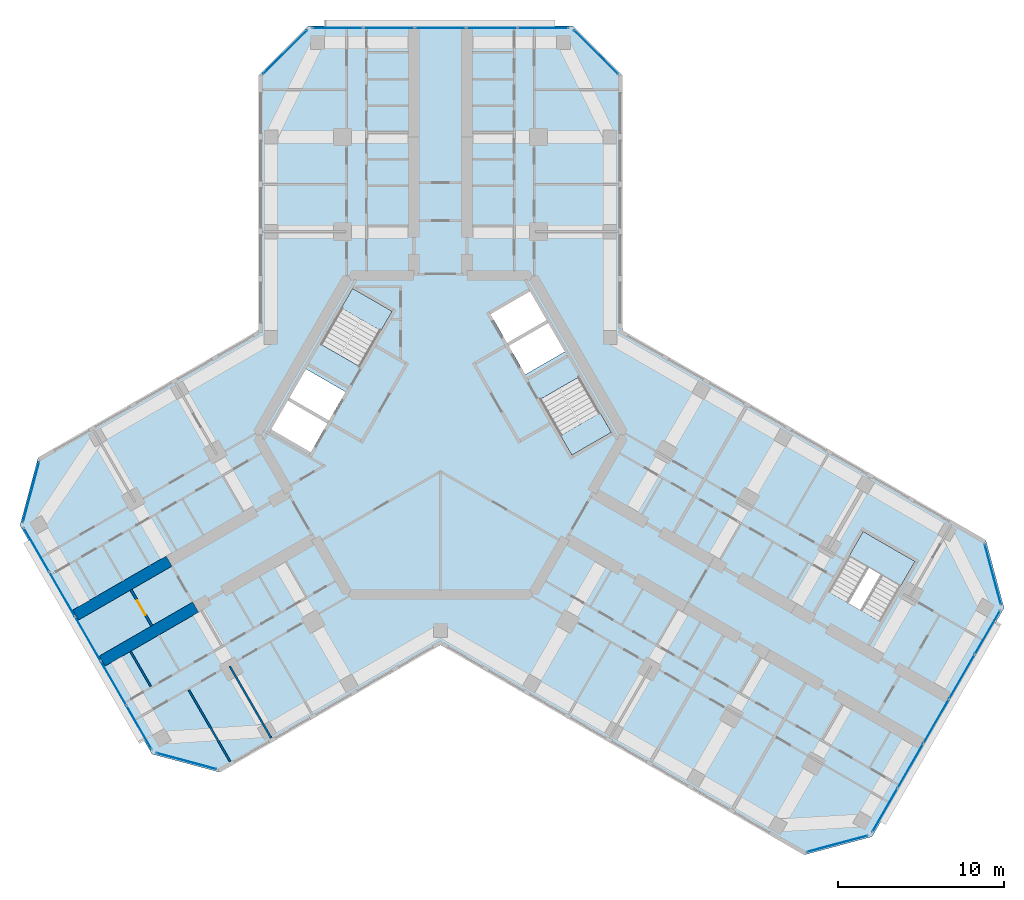
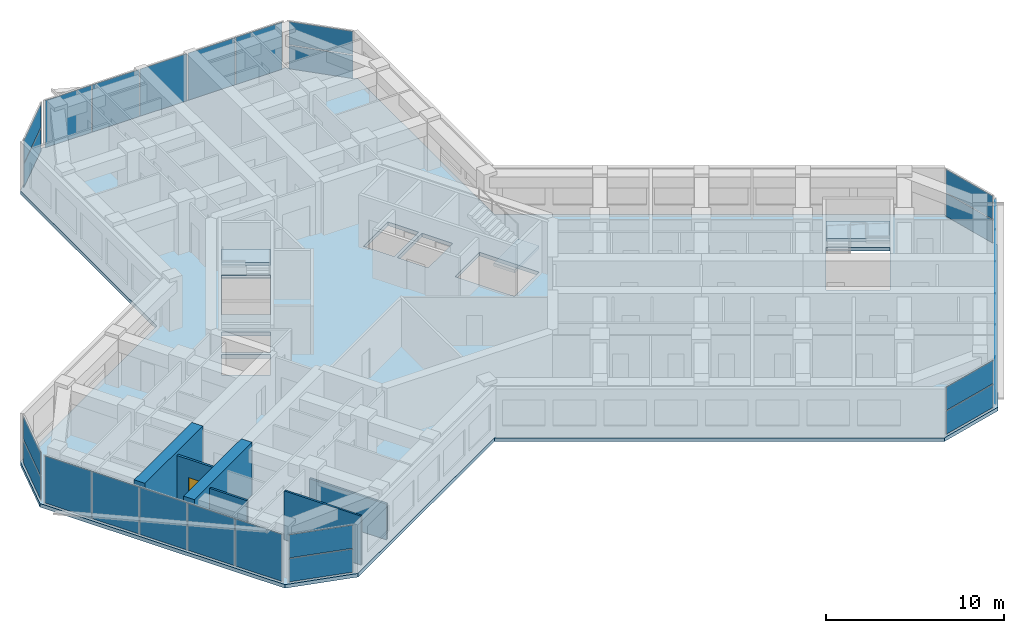
# One storey, part 7 of 16: 27 plates, 6 walls, 4 slabs, 1 door, 1 opening, 12 elements without a shape of their own.
"""IFC4 building model written with IfcOpenShell, lengths in metres."""

from ifc_helpers import new_model, si_unit, direction, frame, frame_2d, origin, origin_2d, place, context, subcontext, project, spatial, polyline, rectangle, outline, extrude, material, layer, layer_set, type_object, element, fill, aggregate, save


model = new_model("IFC4")

# Units and contexts
model_context = context("Model", 3, precision=1e-05, world=origin(), true_north=direction((0.0, 1.0)))
body_context = subcontext(model_context, "Body", "Model", "MODEL_VIEW")
ifc_project = project(units=[si_unit("LENGTHUNIT", "METRE"), si_unit("AREAUNIT", "SQUARE_METRE"), si_unit("VOLUMEUNIT", "CUBIC_METRE"), si_unit("PLANEANGLEUNIT", "RADIAN"), si_unit("MASSUNIT", "GRAM", prefix="KILO")], contexts=[model_context])

# Site, building, storey
site_placement = place(None, origin())
site = spatial("IfcSite", under=ifc_project, at=site_placement, CompositionType="ELEMENT")
building_placement = place(site_placement, origin())
building = spatial("IfcBuilding", under=site, at=building_placement, Name="Kosmar Iwan School Tower", CompositionType="ELEMENT")
storey_placement = place(building_placement, frame((0.0, 0.0, 238.800048828125)))
storey = spatial("IfcBuildingStorey", under=building, at=storey_placement, Name="L60", CompositionType="ELEMENT", Elevation=238.800048828125)

# Curtain wall, plates
ifc_material_1 = material(Name="Dark glass in black aluminium frame", Category="aluminium")
curtain_wall_type_1 = type_object("IfcCurtainWallType", Name="Chamfer curtain wall dark glass", PredefinedType="USERDEFINED", material=ifc_material_1)
curtain_wall_1_placement = place(storey_placement, origin())
curtain_wall_1 = element("IfcCurtainWall", 1, at=curtain_wall_1_placement, inside=storey, type_object=curtain_wall_type_1, Name="Curtain wall L60-F00", ObjectType="FACETED CURTAIN WALL", PredefinedType="USERDEFINED")
ifc_material_2 = material(Name="Dark glass", Category="glass")
ifc_layer_1 = layer(ifc_material_2, 0.028076171875)
ifc_layer_set_1 = layer_set([ifc_layer_1], Name="Dark glass panel 28")
plate_type = type_object("IfcPlateType", Name="Dark glass panel 28", PredefinedType="CURTAIN_PANEL", material=ifc_layer_set_1)
plate_1_placement = place(storey_placement, frame((23.908203125, -24.61328125, 0.06005859375), z_axis=(0.0, 0.0, 1.0), x_axis=(0.965925875495, 0.258818861462, 0.0)))
plate_1 = element("IfcPlate", 2, at=plate_1_placement, type_object=plate_type, Name="CW2 panel 1.1", PredefinedType="CURTAIN_PANEL", context=body_context, shape_type="SweptSolid", body=[
    extrude(rectangle(XDim=3.718994140625, YDim=0.028076171875, at=origin_2d()), origin(), (0.0, 0.0, 1.0), 1.5849609375),
])
plate_2_placement = place(storey_placement, frame((23.908203125, -24.61328125, 1.705078125), z_axis=(0.0, 0.0, 1.0), x_axis=(0.965925875495, 0.258818861462, 0.0)))
plate_2 = element("IfcPlate", 3, at=plate_2_placement, type_object=plate_type, Name="CW2 panel 1.2", PredefinedType="CURTAIN_PANEL", context=body_context, shape_type="SweptSolid", body=[
    extrude(rectangle(XDim=3.718994140625, YDim=0.028076171875, at=origin_2d()), origin(), (0.0, 0.0, 1.0), 1.5849609375),
])
aggregate(curtain_wall_1, [plate_1, plate_2])

ifc_material_3 = material(Name="Dark glass in black aluminium frame", Category="aluminium")
curtain_wall_type_2 = type_object("IfcCurtainWallType", Name="Tower curtain wall dark glass", PredefinedType="USERDEFINED", material=ifc_material_3)
curtain_wall_2_placement = place(storey_placement, origin())
curtain_wall_2 = element("IfcCurtainWall", 4, at=curtain_wall_2_placement, inside=storey, type_object=curtain_wall_type_2, Name="Curtain wall L60-F01", ObjectType="UNITISED CURTAIN WALL", PredefinedType="USERDEFINED")
plate_3_placement = place(storey_placement, frame((26.764404296875, -22.592529296875, 0.06005859375), z_axis=(0.0, 0.0, 1.0), x_axis=(0.499999997325, 0.866025405329, 0.0)))
plate_3 = element("IfcPlate", 5, at=plate_3_placement, type_object=plate_type, Name="CW1 panel 1.1", PredefinedType="CURTAIN_PANEL", context=body_context, shape_type="SweptSolid", body=[
    extrude(rectangle(XDim=3.00927734375, YDim=0.028076171875, at=origin_2d()), origin(), (0.0, 0.0, 1.0), 3.22998046875),
])
plate_4_placement = place(storey_placement, frame((28.306640625, -19.921630859375, 0.06005859375), z_axis=(0.0, 0.0, 1.0), x_axis=(0.499999997325, 0.866025405329, 0.0)))
plate_4 = element("IfcPlate", 6, at=plate_4_placement, type_object=plate_type, Name="CW1 panel 2.1", PredefinedType="CURTAIN_PANEL", context=body_context, shape_type="SweptSolid", body=[
    extrude(rectangle(XDim=3.039306640625, YDim=0.028076171875, at=origin_2d()), origin(), (0.0, 0.0, 1.0), 3.22998046875),
])
plate_5_placement = place(storey_placement, frame((29.856201171875, -17.237548828125, 0.06005859375), z_axis=(0.0, 0.0, 1.0), x_axis=(0.499999997325, 0.866025405329, 0.0)))
plate_5 = element("IfcPlate", 7, at=plate_5_placement, type_object=plate_type, Name="CW1 panel 3.1", PredefinedType="CURTAIN_PANEL", context=body_context, shape_type="SweptSolid", body=[
    extrude(rectangle(XDim=3.039306640625, YDim=0.028076171875, at=origin_2d()), origin(), (0.0, 0.0, 1.0), 3.22998046875),
])
plate_6_placement = place(storey_placement, frame((31.40576171875, -14.553466796875, 0.06005859375), z_axis=(0.0, 0.0, 1.0), x_axis=(0.499999997325, 0.866025405329, 0.0)))
plate_6 = element("IfcPlate", 8, at=plate_6_placement, type_object=plate_type, Name="CW1 panel 4.1", PredefinedType="CURTAIN_PANEL", context=body_context, shape_type="SweptSolid", body=[
    extrude(rectangle(XDim=3.039306640625, YDim=0.028076171875, at=origin_2d()), origin(), (0.0, 0.0, 1.0), 3.22998046875),
])
plate_7_placement = place(storey_placement, frame((32.947998046875, -11.88232421875, 0.06005859375), z_axis=(0.0, 0.0, 1.0), x_axis=(0.499999997325, 0.866025405329, 0.0)))
plate_7 = element("IfcPlate", 9, at=plate_7_placement, type_object=plate_type, Name="CW1 panel 5.1", PredefinedType="CURTAIN_PANEL", context=body_context, shape_type="SweptSolid", body=[
    extrude(rectangle(XDim=3.00927734375, YDim=0.028076171875, at=origin_2d()), origin(), (0.0, 0.0, 1.0), 3.22998046875),
])
aggregate(curtain_wall_2, [plate_3, plate_4, plate_5, plate_6, plate_7])

curtain_wall_3_placement = place(storey_placement, origin())
curtain_wall_3 = element("IfcCurtainWall", 10, at=curtain_wall_3_placement, inside=storey, type_object=curtain_wall_type_1, Name="Curtain wall L60-F02", ObjectType="FACETED CURTAIN WALL", PredefinedType="USERDEFINED")
plate_8_placement = place(storey_placement, frame((33.269775390625, -8.3984375, 0.06005859375), z_axis=(0.0, 0.0, 1.0), x_axis=(-0.258818861462, 0.965925875495, 0.0)))
plate_8 = element("IfcPlate", 11, at=plate_8_placement, type_object=plate_type, Name="CW2 panel 1.1", PredefinedType="CURTAIN_PANEL", context=body_context, shape_type="SweptSolid", body=[
    extrude(rectangle(XDim=3.718994140625, YDim=0.028076171875, at=origin_2d()), origin(), (0.0, 0.0, 1.0), 1.5849609375),
])
plate_9_placement = place(storey_placement, frame((33.269775390625, -8.3984375, 1.705078125), z_axis=(0.0, 0.0, 1.0), x_axis=(-0.258818861462, 0.965925875495, 0.0)))
plate_9 = element("IfcPlate", 12, at=plate_9_placement, type_object=plate_type, Name="CW2 panel 1.2", PredefinedType="CURTAIN_PANEL", context=body_context, shape_type="SweptSolid", body=[
    extrude(rectangle(XDim=3.718994140625, YDim=0.028076171875, at=origin_2d()), origin(), (0.0, 0.0, 1.0), 1.5849609375),
])
aggregate(curtain_wall_3, [plate_8, plate_9])

curtain_wall_4_placement = place(storey_placement, origin())
curtain_wall_4 = element("IfcCurtainWall", 13, at=curtain_wall_4_placement, inside=storey, type_object=curtain_wall_type_1, Name="Curtain wall L60-F05", ObjectType="FACETED CURTAIN WALL", PredefinedType="USERDEFINED")
plate_10_placement = place(storey_placement, frame((9.361572265625, 23.0615234375, 0.06005859375), z_axis=(0.0, 0.0, 1.0), x_axis=(-0.707106781187, 0.707106781187, 0.0)))
plate_10 = element("IfcPlate", 14, at=plate_10_placement, type_object=plate_type, Name="CW2 panel 1.1", PredefinedType="CURTAIN_PANEL", context=body_context, shape_type="SweptSolid", body=[
    extrude(rectangle(XDim=3.718994140625, YDim=0.028076171875, at=origin_2d()), origin(), (0.0, 0.0, 1.0), 1.5849609375),
])
plate_11_placement = place(storey_placement, frame((9.361572265625, 23.0615234375, 1.705078125), z_axis=(0.0, 0.0, 1.0), x_axis=(-0.707106781187, 0.707106781187, 0.0)))
plate_11 = element("IfcPlate", 15, at=plate_11_placement, type_object=plate_type, Name="CW2 panel 1.2", PredefinedType="CURTAIN_PANEL", context=body_context, shape_type="SweptSolid", body=[
    extrude(rectangle(XDim=3.718994140625, YDim=0.028076171875, at=origin_2d()), origin(), (0.0, 0.0, 1.0), 1.5849609375),
])
aggregate(curtain_wall_4, [plate_10, plate_11])

curtain_wall_5_placement = place(storey_placement, origin())
curtain_wall_5 = element("IfcCurtainWall", 16, at=curtain_wall_5_placement, inside=storey, type_object=curtain_wall_type_2, Name="Curtain wall L60-F06", ObjectType="UNITISED CURTAIN WALL", PredefinedType="USERDEFINED")
plate_12_placement = place(storey_placement, frame((6.18359375, 24.52490234375, 0.06005859375), z_axis=(0.0, 0.0, 1.0), x_axis=(-1.0, 0.0, 0.0)))
plate_12 = element("IfcPlate", 17, at=plate_12_placement, type_object=plate_type, Name="CW1 panel 1.1", PredefinedType="CURTAIN_PANEL", context=body_context, shape_type="SweptSolid", body=[
    extrude(rectangle(XDim=3.00927734375, YDim=0.028076171875, at=origin_2d()), origin(), (0.0, 0.0, 1.0), 3.22998046875),
])
plate_13_placement = place(storey_placement, frame((3.099365234375, 24.52490234375, 0.06005859375), z_axis=(0.0, 0.0, 1.0), x_axis=(-1.0, 0.0, 0.0)))
plate_13 = element("IfcPlate", 18, at=plate_13_placement, type_object=plate_type, Name="CW1 panel 2.1", PredefinedType="CURTAIN_PANEL", context=body_context, shape_type="SweptSolid", body=[
    extrude(rectangle(XDim=3.039306640625, YDim=0.028076171875, at=origin_2d()), origin(), (0.0, 0.0, 1.0), 3.22998046875),
])
plate_14_placement = place(storey_placement, frame((0.0, 24.52490234375, 0.06005859375), z_axis=(0.0, 0.0, 1.0), x_axis=(-1.0, 0.0, 0.0)))
plate_14 = element("IfcPlate", 19, at=plate_14_placement, type_object=plate_type, Name="CW1 panel 3.1", PredefinedType="CURTAIN_PANEL", context=body_context, shape_type="SweptSolid", body=[
    extrude(rectangle(XDim=3.039306640625, YDim=0.028076171875, at=origin_2d()), origin(), (0.0, 0.0, 1.0), 3.22998046875),
])
plate_15_placement = place(storey_placement, frame((-3.099365234375, 24.52490234375, 0.06005859375), z_axis=(0.0, 0.0, 1.0), x_axis=(-1.0, 0.0, 0.0)))
plate_15 = element("IfcPlate", 20, at=plate_15_placement, type_object=plate_type, Name="CW1 panel 4.1", PredefinedType="CURTAIN_PANEL", context=body_context, shape_type="SweptSolid", body=[
    extrude(rectangle(XDim=3.039306640625, YDim=0.028076171875, at=origin_2d()), origin(), (0.0, 0.0, 1.0), 3.22998046875),
])
plate_16_placement = place(storey_placement, frame((-6.18359375, 24.52490234375, 0.06005859375), z_axis=(0.0, 0.0, 1.0), x_axis=(-1.0, 0.0, 0.0)))
plate_16 = element("IfcPlate", 21, at=plate_16_placement, type_object=plate_type, Name="CW1 panel 5.1", PredefinedType="CURTAIN_PANEL", context=body_context, shape_type="SweptSolid", body=[
    extrude(rectangle(XDim=3.00927734375, YDim=0.028076171875, at=origin_2d()), origin(), (0.0, 0.0, 1.0), 3.22998046875),
])
aggregate(curtain_wall_5, [plate_12, plate_13, plate_14, plate_15, plate_16])

curtain_wall_6_placement = place(storey_placement, origin())
curtain_wall_6 = element("IfcCurtainWall", 22, at=curtain_wall_6_placement, inside=storey, type_object=curtain_wall_type_1, Name="Curtain wall L60-F07", ObjectType="FACETED CURTAIN WALL", PredefinedType="USERDEFINED")
plate_17_placement = place(storey_placement, frame((-9.361572265625, 23.0615234375, 0.06005859375), z_axis=(0.0, 0.0, 1.0), x_axis=(-0.707106781187, -0.707106781187, 0.0)))
plate_17 = element("IfcPlate", 23, at=plate_17_placement, type_object=plate_type, Name="CW2 panel 1.1", PredefinedType="CURTAIN_PANEL", context=body_context, shape_type="SweptSolid", body=[
    extrude(rectangle(XDim=3.718994140625, YDim=0.028076171875, at=origin_2d()), origin(), (0.0, 0.0, 1.0), 1.5849609375),
])
plate_18_placement = place(storey_placement, frame((-9.361572265625, 23.0615234375, 1.705078125), z_axis=(0.0, 0.0, 1.0), x_axis=(-0.707106781187, -0.707106781187, 0.0)))
plate_18 = element("IfcPlate", 24, at=plate_18_placement, type_object=plate_type, Name="CW2 panel 1.2", PredefinedType="CURTAIN_PANEL", context=body_context, shape_type="SweptSolid", body=[
    extrude(rectangle(XDim=3.718994140625, YDim=0.028076171875, at=origin_2d()), origin(), (0.0, 0.0, 1.0), 1.5849609375),
])
aggregate(curtain_wall_6, [plate_17, plate_18])

curtain_wall_7_placement = place(storey_placement, origin())
curtain_wall_7 = element("IfcCurtainWall", 25, at=curtain_wall_7_placement, inside=storey, type_object=curtain_wall_type_1, Name="Curtain wall L60-F10", ObjectType="FACETED CURTAIN WALL", PredefinedType="USERDEFINED")
plate_19_placement = place(storey_placement, frame((-24.65283203125, -3.42333984375, 0.06005859375), z_axis=(0.0, 0.0, 1.0), x_axis=(-0.258818861462, -0.965925875495, 0.0)))
plate_19 = element("IfcPlate", 26, at=plate_19_placement, type_object=plate_type, Name="CW2 panel 1.1", PredefinedType="CURTAIN_PANEL", context=body_context, shape_type="SweptSolid", body=[
    extrude(rectangle(XDim=3.718994140625, YDim=0.028076171875, at=origin_2d()), origin(), (0.0, 0.0, 1.0), 1.5849609375),
])
plate_20_placement = place(storey_placement, frame((-24.65283203125, -3.42333984375, 1.705078125), z_axis=(0.0, 0.0, 1.0), x_axis=(-0.258818861462, -0.965925875495, 0.0)))
plate_20 = element("IfcPlate", 27, at=plate_20_placement, type_object=plate_type, Name="CW2 panel 1.2", PredefinedType="CURTAIN_PANEL", context=body_context, shape_type="SweptSolid", body=[
    extrude(rectangle(XDim=3.718994140625, YDim=0.028076171875, at=origin_2d()), origin(), (0.0, 0.0, 1.0), 1.5849609375),
])
aggregate(curtain_wall_7, [plate_19, plate_20])

curtain_wall_8_placement = place(storey_placement, origin())
curtain_wall_8 = element("IfcCurtainWall", 28, at=curtain_wall_8_placement, inside=storey, type_object=curtain_wall_type_2, Name="Curtain wall L60-F11", ObjectType="UNITISED CURTAIN WALL", PredefinedType="USERDEFINED")
plate_21_placement = place(storey_placement, frame((-24.3310546875, -6.907470703125, 0.06005859375), z_axis=(0.0, 0.0, 1.0), x_axis=(0.499999997325, -0.866025405329, 0.0)))
plate_21 = element("IfcPlate", 29, at=plate_21_placement, type_object=plate_type, Name="CW1 panel 1.1", PredefinedType="CURTAIN_PANEL", context=body_context, shape_type="SweptSolid", body=[
    extrude(rectangle(XDim=3.00927734375, YDim=0.028076171875, at=origin_2d()), origin(), (0.0, 0.0, 1.0), 3.22998046875),
])
plate_22_placement = place(storey_placement, frame((-22.788818359375, -9.578369140625, 0.06005859375), z_axis=(0.0, 0.0, 1.0), x_axis=(0.499999997325, -0.866025405329, 0.0)))
plate_22 = element("IfcPlate", 30, at=plate_22_placement, type_object=plate_type, Name="CW1 panel 2.1", PredefinedType="CURTAIN_PANEL", context=body_context, shape_type="SweptSolid", body=[
    extrude(rectangle(XDim=3.039306640625, YDim=0.028076171875, at=origin_2d()), origin(), (0.0, 0.0, 1.0), 3.22998046875),
])
plate_23_placement = place(storey_placement, frame((-21.2392578125, -12.262451171875, 0.06005859375), z_axis=(0.0, 0.0, 1.0), x_axis=(0.499999997325, -0.866025405329, 0.0)))
plate_23 = element("IfcPlate", 31, at=plate_23_placement, type_object=plate_type, Name="CW1 panel 3.1", PredefinedType="CURTAIN_PANEL", context=body_context, shape_type="SweptSolid", body=[
    extrude(rectangle(XDim=3.039306640625, YDim=0.028076171875, at=origin_2d()), origin(), (0.0, 0.0, 1.0), 3.22998046875),
])
plate_24_placement = place(storey_placement, frame((-19.689697265625, -14.946533203125, 0.06005859375), z_axis=(0.0, 0.0, 1.0), x_axis=(0.499999997325, -0.866025405329, 0.0)))
plate_24 = element("IfcPlate", 32, at=plate_24_placement, type_object=plate_type, Name="CW1 panel 4.1", PredefinedType="CURTAIN_PANEL", context=body_context, shape_type="SweptSolid", body=[
    extrude(rectangle(XDim=3.039306640625, YDim=0.028076171875, at=origin_2d()), origin(), (0.0, 0.0, 1.0), 3.22998046875),
])
plate_25_placement = place(storey_placement, frame((-18.1474609375, -17.61767578125, 0.06005859375), z_axis=(0.0, 0.0, 1.0), x_axis=(0.499999997325, -0.866025405329, 0.0)))
plate_25 = element("IfcPlate", 33, at=plate_25_placement, type_object=plate_type, Name="CW1 panel 5.1", PredefinedType="CURTAIN_PANEL", context=body_context, shape_type="SweptSolid", body=[
    extrude(rectangle(XDim=3.00927734375, YDim=0.028076171875, at=origin_2d()), origin(), (0.0, 0.0, 1.0), 3.22998046875),
])
aggregate(curtain_wall_8, [plate_21, plate_22, plate_23, plate_24, plate_25])

curtain_wall_9_placement = place(storey_placement, origin())
curtain_wall_9 = element("IfcCurtainWall", 34, at=curtain_wall_9_placement, inside=storey, type_object=curtain_wall_type_1, Name="Curtain wall L60-F12", ObjectType="FACETED CURTAIN WALL", PredefinedType="USERDEFINED")
plate_26_placement = place(storey_placement, frame((-15.291015625, -19.63818359375, 0.06005859375), z_axis=(0.0, 0.0, 1.0), x_axis=(0.965925875495, -0.258818861462, 0.0)))
plate_26 = element("IfcPlate", 35, at=plate_26_placement, type_object=plate_type, Name="CW2 panel 1.1", PredefinedType="CURTAIN_PANEL", context=body_context, shape_type="SweptSolid", body=[
    extrude(rectangle(XDim=3.718994140625, YDim=0.028076171875, at=origin_2d()), origin(), (0.0, 0.0, 1.0), 1.5849609375),
])
plate_27_placement = place(storey_placement, frame((-15.291015625, -19.63818359375, 1.705078125), z_axis=(0.0, 0.0, 1.0), x_axis=(0.965925875495, -0.258818861462, 0.0)))
plate_27 = element("IfcPlate", 36, at=plate_27_placement, type_object=plate_type, Name="CW2 panel 1.2", PredefinedType="CURTAIN_PANEL", context=body_context, shape_type="SweptSolid", body=[
    extrude(rectangle(XDim=3.718994140625, YDim=0.028076171875, at=origin_2d()), origin(), (0.0, 0.0, 1.0), 1.5849609375),
])
aggregate(curtain_wall_9, [plate_26, plate_27])

# Stair, slab
ifc_material_4 = material(Name="Concrete C35/45", Category="concrete")
stair_type_1 = type_object("IfcStairType", Name="Escape stair 3600", PredefinedType="HALF_TURN_STAIR", material=ifc_material_4)
stair_1_placement = place(storey_placement, origin())
stair_1 = element("IfcStair", 37, at=stair_1_placement, inside=storey, type_object=stair_type_1, Name="Stair WS3 L60", PredefinedType="HALF_TURN_STAIR")
ifc_material_5 = material(Name="Concrete C35/45", Category="concrete")
ifc_layer_2 = layer(ifc_material_5, 0.199951171875)
ifc_layer_set_2 = layer_set([ifc_layer_2], Name="Escape stair landing 200")
slab_type_1 = type_object("IfcSlabType", Name="Escape stair landing 200", PredefinedType="LANDING", material=ifc_layer_set_2)
slab_1_placement = place(storey_placement, frame((0.0, 0.0, 1.599853515625)))
slab_1 = element("IfcSlab", 38, at=slab_1_placement, type_object=slab_type_1, Name="WS3 landing 1", PredefinedType="LANDING", context=body_context, shape_type="SweptSolid", body=[
    extrude(outline(polyline([(24.607421875, -7.27880859375), (27.72509765625, -9.078857421875), (28.574951171875, -7.606689453125), (25.457275390625, -5.806640625), (24.607421875, -7.27880859375)])), origin(), (0.0, 0.0, 1.0), 0.2001953125),
])
aggregate(stair_1, [slab_1])

# Slab
ifc_material_6 = material(Name="Concrete C35/45", Category="concrete")
ifc_layer_3 = layer(ifc_material_6, 0.25)
ifc_layer_set_3 = layer_set([ifc_layer_3], Name="Floor slab 250")
slab_type_2 = type_object("IfcSlabType", Name="Floor slab 250", PredefinedType="FLOOR", material=ifc_layer_set_3)
slab_2_placement = place(storey_placement, frame((0.0, 0.0, -0.25)))
element("IfcSlab", 39, at=slab_2_placement, inside=storey, type_object=slab_type_2, Name="L60 floor slab", PredefinedType="FLOOR", context=body_context, shape_type="SweptSolid", body=[
    extrude(outline(polyline([(21.891357421875, -25.282958984375), (25.989501953125, -24.184814453125), (33.939453125, -10.4150390625), (32.84130859375, -6.317138671875), (10.949951171875, 6.322021484375), (10.949951171875, 21.64990234375), (7.949951171875, 24.64990234375), (-7.949951171875, 24.64990234375), (-10.949951171875, 21.64990234375), (-10.949951171875, 6.322021484375), (-24.224365234375, -1.342041015625), (-25.322509765625, -5.440185546875), (-17.37255859375, -19.2099609375), (-13.2744140625, -20.307861328125), (0.0, -12.64404296875), (21.891357421875, -25.282958984375)]), holes=[polyline([(7.91259765625, -1.205078125), (10.294189453125, 0.169921875), (8.3642578125, 3.5126953125), (5.982666015625, 2.1376953125), (7.91259765625, -1.205078125)]), polyline([(-2.91259765625, 7.455078125), (-5.294189453125, 8.830078125), (-7.22412109375, 5.4873046875), (-4.8427734375, 4.1123046875), (-2.91259765625, 7.455078125)]), polyline([(-5.712646484375, 2.60546875), (-8.09423828125, 3.98046875), (-9.09423828125, 2.248291015625), (-6.712646484375, 0.873291015625), (-5.712646484375, 2.60546875)]), polyline([(-6.812744140625, 0.7001953125), (-9.1943359375, 2.0751953125), (-10.1943359375, 0.343017578125), (-7.812744140625, -1.031982421875), (-6.812744140625, 0.7001953125)]), polyline([(5.112548828125, 3.64453125), (7.494140625, 5.01953125), (6.494140625, 6.751708984375), (4.112548828125, 5.376708984375), (5.112548828125, 3.64453125)]), polyline([(4.0126953125, 5.5498046875), (6.394287109375, 6.9248046875), (5.394287109375, 8.656982421875), (3.0126953125, 7.281982421875), (4.0126953125, 5.5498046875)]), polyline([(23.367431640625, -9.426513671875), (26.485107421875, -11.2265625), (28.574951171875, -7.606689453125), (25.457275390625, -5.806640625), (23.367431640625, -9.426513671875)])]), origin(), (0.0, 0.0, 1.0), 0.25),
])

# Stair, slab
ifc_material_7 = material(Name="Concrete C35/45", Category="concrete")
stair_type_2 = type_object("IfcStairType", Name="Core stair 2750", PredefinedType="HALF_TURN_STAIR", material=ifc_material_7)
stair_2_placement = place(storey_placement, origin())
stair_2 = element("IfcStair", 40, at=stair_2_placement, inside=storey, type_object=stair_type_2, Name="Stair ST2 L60", PredefinedType="HALF_TURN_STAIR")
ifc_material_8 = material(Name="Concrete C35/45", Category="concrete")
ifc_layer_4 = layer(ifc_material_8, 0.199951171875)
ifc_layer_set_4 = layer_set([ifc_layer_4], Name="Stair landing 200")
slab_type_3 = type_object("IfcSlabType", Name="Stair landing 200", PredefinedType="LANDING", material=ifc_layer_set_4)
slab_3_placement = place(storey_placement, frame((0.0, 0.0, 1.599853515625)))
slab_3 = element("IfcSlab", 41, at=slab_3_placement, type_object=slab_type_3, Name="ST2 landing 1", PredefinedType="LANDING", context=body_context, shape_type="SweptSolid", body=[
    extrude(outline(polyline([(-2.91259765625, 7.455078125), (-5.294189453125, 8.830078125), (-5.97412109375, 7.65234375), (-3.5927734375, 6.27734375), (-2.91259765625, 7.455078125)])), origin(), (0.0, 0.0, 1.0), 0.2001953125),
])
aggregate(stair_2, [slab_3])

stair_3_placement = place(storey_placement, origin())
stair_3 = element("IfcStair", 42, at=stair_3_placement, inside=storey, type_object=stair_type_2, Name="Stair ST1 L60", PredefinedType="HALF_TURN_STAIR")
slab_4_placement = place(storey_placement, frame((0.0, 0.0, 1.599853515625)))
slab_4 = element("IfcSlab", 43, at=slab_4_placement, type_object=slab_type_3, Name="ST1 landing 1", PredefinedType="LANDING", context=body_context, shape_type="SweptSolid", body=[
    extrude(outline(polyline([(7.91259765625, -1.205078125), (10.294189453125, 0.169921875), (9.6142578125, 1.34765625), (7.232666015625, -0.02734375), (7.91259765625, -1.205078125)])), origin(), (0.0, 0.0, 1.0), 0.2001953125),
])
aggregate(stair_3, [slab_4])

# Walls
ifc_material_9 = material(Name="Concrete C50/60", Category="concrete")
ifc_layer_5 = layer(ifc_material_9, 0.699951171875)
ifc_layer_set_5 = layer_set([ifc_layer_5], Name="Corridor buttress wall 700")
wall_type_1 = type_object("IfcWallType", Name="Corridor buttress wall 700", PredefinedType="SHEAR", material=ifc_layer_set_5)
wall_1_placement = place(storey_placement, frame((-14.7451171875, -10.360595703125, 0.0), z_axis=(0.0, 0.0, 1.0), x_axis=(-0.866027848477, -0.499995765644, 0.0)))
element("IfcWall", 44, at=wall_1_placement, inside=storey, type_object=wall_type_1, Name="Corridor wall BL bay 2", PredefinedType="SHEAR", context=body_context, shape_type="SweptSolid", body=[
    extrude(rectangle(XDim=6.4951171875, YDim=0.699951171875, at=frame_2d((3.24755859375, 0.0))), origin(), (0.0, 0.0, 1.0), 3.599853515625),
])
wall_2_placement = place(storey_placement, frame((-16.34521484375, -7.58935546875, 0.0), z_axis=(0.0, 0.0, 1.0), x_axis=(-0.866018451174, -0.500012042081, 0.0)))
element("IfcWall", 45, at=wall_2_placement, inside=storey, type_object=wall_type_1, Name="Corridor wall BR bay 2", PredefinedType="SHEAR", context=body_context, shape_type="SweptSolid", body=[
    extrude(rectangle(XDim=6.494873046875, YDim=0.699951171875, at=frame_2d((3.24755859375, 0.0))), origin(), (0.0, 0.0, 1.0), 3.599853515625),
])

# Wall, opening, door
ifc_material_10 = material(Name="Gypsum board on steel studs, fire-rated", Category="steel")
ifc_layer_6 = layer(ifc_material_10, 0.14990234375)
ifc_layer_set_6 = layer_set([ifc_layer_6], Name="Corridor end wall 150")
wall_type_2 = type_object("IfcWallType", Name="Corridor end wall 150", PredefinedType="PARTITIONING", material=ifc_layer_set_6)
wall_3_placement = place(storey_placement, frame((-18.638427734375, -9.3173828125, 0.0), z_axis=(0.0, 0.0, 1.0), x_axis=(0.500004234368, -0.866022959057, 0.0)))
wall_3 = element("IfcWall", 46, at=wall_3_placement, inside=storey, type_object=wall_type_2, Name="Partition L60-B-CE", PredefinedType="PARTITIONING", context=body_context, shape_type="SweptSolid", body=[
    extrude(rectangle(XDim=2.5, YDim=0.14990234375, at=frame_2d((1.25, 0.0))), origin(), (0.0, 0.0, 1.0), 3.349853515625),
])
opening_placement = place(wall_3_placement, frame((0.75, 0.0, 0.0)))
opening = element("IfcOpeningElement", 47, at=opening_placement, cuts=wall_3, Name="Opening D13", PredefinedType="OPENING", context=body_context, shape_type="SweptSolid", body=[
    extrude(rectangle(XDim=1.0, YDim=2.10009765625, at=frame_2d((0.5, 1.050048828125))), frame((0.0, 0.0869140625, 0.0), z_axis=(0.0, -1.0, 0.0), x_axis=(1.0, 0.0, 0.0)), (0.0, 0.0, 1.0), 0.173828125),
])
ifc_material_11 = material(Name="Timber fire door with vision panel", Category="wood")
door_type = type_object("IfcDoorType", Name="Corridor end door 1000x2100", OperationType="SINGLE_SWING_LEFT", PredefinedType="DOOR", material=ifc_material_11)
door_placement = place(opening_placement, origin())
door = element("IfcDoor", 48, at=door_placement, inside=storey, type_object=door_type, Name="Hobby workshop door L60-B", OperationType="SINGLE_SWING_RIGHT", OverallHeight=2.10009765625, OverallWidth=1.0, PredefinedType="DOOR", context=body_context, shape_type="SweptSolid", body=[
    extrude(rectangle(XDim=1.0, YDim=2.10009765625, at=frame_2d((0.5, 1.050048828125))), frame((0.0, 0.02490234375, 0.0), z_axis=(0.0, -1.0, 0.0), x_axis=(1.0, 0.0, 0.0)), (0.0, 0.0, 1.0), 0.050048828125),
])
fill(opening, door)

# Walls
ifc_material_12 = material(Name="Gypsum board on steel studs", Category="steel")
ifc_layer_7 = layer(ifc_material_12, 0.1201171875)
ifc_layer_set_7 = layer_set([ifc_layer_7], Name="Dwelling partition 120")
wall_type_3 = type_object("IfcWallType", Name="Dwelling partition 120", PredefinedType="PARTITIONING", material=ifc_layer_set_7)
wall_4_placement = place(storey_placement, frame((-12.690185546875, -13.919921875, 0.0), z_axis=(0.0, 0.0, 1.0), x_axis=(0.500011847778, -0.866018563358, 0.0)))
element("IfcWall", 49, at=wall_4_placement, inside=storey, type_object=wall_type_3, Name="Partition L60-BL1-X2", PredefinedType="PARTITIONING", context=body_context, shape_type="SweptSolid", body=[
    extrude(rectangle(XDim=4.990234375, YDim=0.1201171875, at=frame_2d((2.4951171875, 0.0))), origin(), (0.0, 0.0, 1.0), 2.449951171875),
])
wall_5_placement = place(storey_placement, frame((-15.158447265625, -15.344970703125, 0.0), z_axis=(0.0, 0.0, 1.0), x_axis=(0.500011847778, -0.866018563358, 0.0)))
element("IfcWall", 50, at=wall_5_placement, inside=storey, type_object=wall_type_3, Name="Partition L60-BL1-X3", PredefinedType="PARTITIONING", context=body_context, shape_type="SweptSolid", body=[
    extrude(rectangle(XDim=4.990234375, YDim=0.1201171875, at=frame_2d((2.4951171875, 0.0))), origin(), (0.0, 0.0, 1.0), 3.349853515625),
])
wall_6_placement = place(storey_placement, frame((-18.665283203125, -13.028076171875, 0.0), z_axis=(0.0, 0.0, 1.0), x_axis=(0.500002508028, -0.866023955769, 0.0)))
element("IfcWall", 51, at=wall_6_placement, inside=storey, type_object=wall_type_3, Name="Partition L60-BL1-Y6", PredefinedType="PARTITIONING", context=body_context, shape_type="SweptSolid", body=[
    extrude(rectangle(XDim=2.43994140625, YDim=0.1201171875, at=frame_2d((1.219970703125, 0.0))), origin(), (0.0, 0.0, 1.0), 3.349853515625),
])

save(model, "model.ifc")
